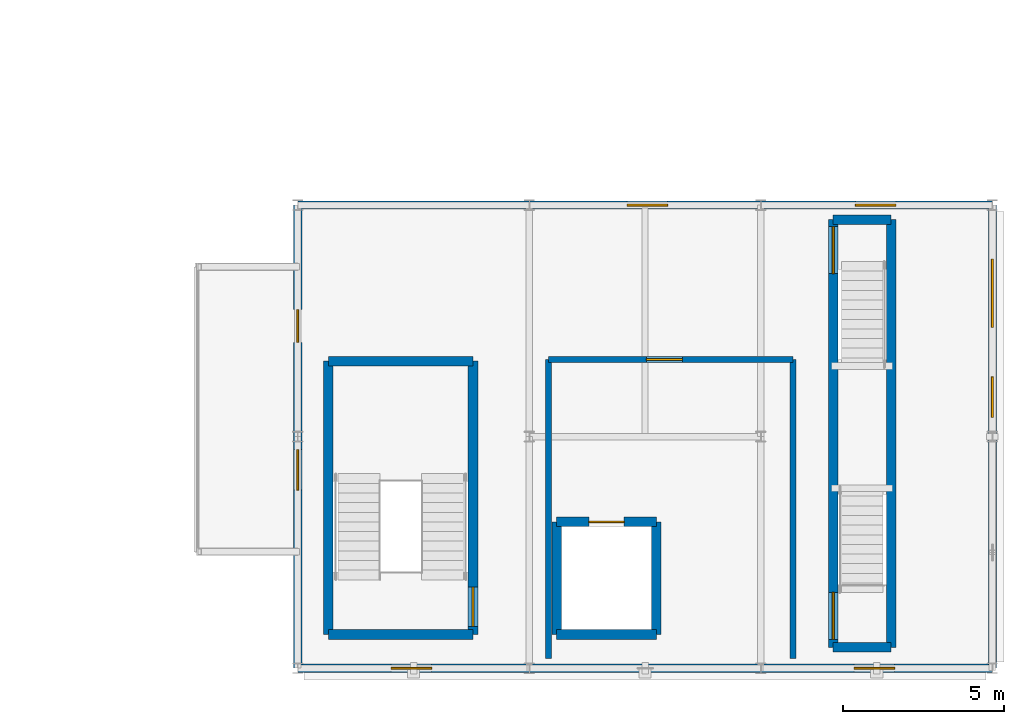
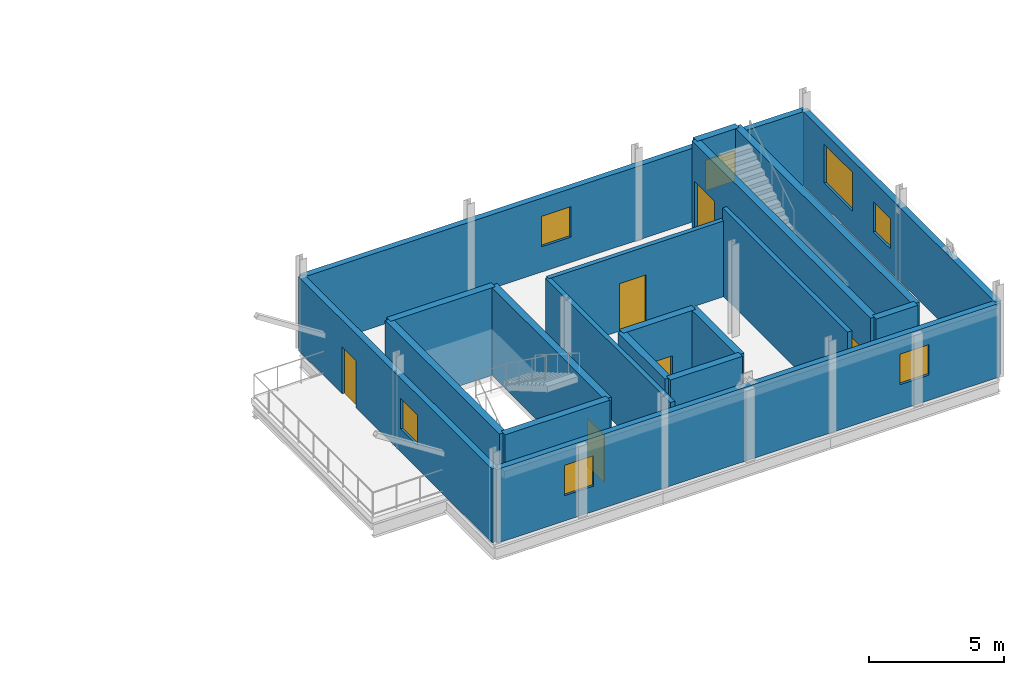
# One storey, part 40 of 47: 19 walls, 7 windows, 6 doors, 13 openings.
"""IFC4 building model written with IfcOpenShell, lengths in metres."""

from ifc_helpers import new_model, si_unit, direction, frame, frame_2d, origin, place, context, subcontext, project, spatial, rectangle, extrude, material, layer, layer_set, type_object, element, fill, save


model = new_model("IFC4")

# Units and contexts
model_context = context("Model", 3, precision=1e-05, world=origin(), true_north=direction((0.0, 1.0)))
body_context = subcontext(model_context, "Body", "Model", "MODEL_VIEW")
ifc_project = project(units=[si_unit("LENGTHUNIT", "METRE"), si_unit("AREAUNIT", "SQUARE_METRE"), si_unit("VOLUMEUNIT", "CUBIC_METRE"), si_unit("PLANEANGLEUNIT", "RADIAN"), si_unit("MASSUNIT", "GRAM", prefix="KILO")], contexts=[model_context])

# Site, building, storey
site_placement = place(None, origin())
site = spatial("IfcSite", under=ifc_project, at=site_placement, CompositionType="ELEMENT")
building_placement = place(site_placement, origin())
building = spatial("IfcBuilding", under=site, at=building_placement, Name="Yarey Park Central Fire Station", CompositionType="ELEMENT")
storey_placement = place(building_placement, frame((0.0, 0.0, 18.0)))
storey = spatial("IfcBuildingStorey", under=building, at=storey_placement, Name="L05", CompositionType="ELEMENT", Elevation=18.0)

# Wall, openings, windows
ifc_material_1 = material(Name="Concrete C40/50", Category="concrete")
ifc_layer_1 = layer(ifc_material_1, 0.2548828125)
ifc_layer_set_1 = layer_set([ifc_layer_1], Name="Concrete C40/50")
wall_type_1 = type_object("IfcWallType", Name="ENV_WALL_RC255", PredefinedType="STANDARD", material=ifc_layer_set_1)
wall_1_placement = place(storey_placement, frame((165.60009765625, 0.0, 0.0), z_axis=(0.0, 0.0, 1.0), x_axis=(-1.0, 0.0, 0.0)))
wall_1 = element("IfcWall", 1, at=wall_1_placement, inside=storey, type_object=wall_type_1, Name="EW_L05_DT_S", PredefinedType="STANDARD", context=body_context, shape_type="SweptSolid", body=[
    extrude(rectangle(XDim=21.60009765625, YDim=0.2548828125, at=frame_2d((10.800048828125, 0.0))), origin(), (0.0, 0.0, 1.0), 3.35009765625),
])
opening_1_placement = place(wall_1_placement, frame((17.43994140625, 0.0, 1.14990234375)))
opening_1 = element("IfcOpeningElement", 2, at=opening_1_placement, cuts=wall_1, Name="Opening WN-DT126", PredefinedType="OPENING", context=body_context, shape_type="SweptSolid", body=[
    extrude(rectangle(XDim=1.260009765625, YDim=1.3798828125, at=frame_2d((0.6298828125, 0.68994140625))), frame((0.0, 0.137451171875, 0.0), z_axis=(0.0, -1.0, 0.0), x_axis=(1.0, 0.0, 0.0)), (0.0, 0.0, 1.0), 0.27490234375),
])
opening_2_placement = place(wall_1_placement, frame((3.0400390625, 0.0, 1.14990234375)))
opening_2 = element("IfcOpeningElement", 3, at=opening_2_placement, cuts=wall_1, Name="Opening WN-DT126", PredefinedType="OPENING", context=body_context, shape_type="SweptSolid", body=[
    extrude(rectangle(XDim=1.260009765625, YDim=1.3798828125, at=frame_2d((0.6298828125, 0.68994140625))), frame((0.0, 0.137451171875, 0.0), z_axis=(0.0, -1.0, 0.0), x_axis=(1.0, 0.0, 0.0)), (0.0, 0.0, 1.0), 0.27490234375),
])
ifc_material_2 = material(Name="Laminated Hurricane Low-E Glass", Category="glass")
window_type_1 = type_object("IfcWindowType", Name="ENV_WIN_DT_126", PartitioningType="SINGLE_PANEL", PredefinedType="WINDOW", material=ifc_material_2)
window_1_placement = place(opening_1_placement, origin())
window_1 = element("IfcWindow", 4, at=window_1_placement, inside=storey, type_object=window_type_1, Name="WIN_L05_DTS_1", OverallHeight=1.3798828125, OverallWidth=1.260009765625, PartitioningType="SINGLE_PANEL", PredefinedType="WINDOW", context=body_context, shape_type="SweptSolid", body=[
    extrude(rectangle(XDim=1.260009765625, YDim=1.3798828125, at=frame_2d((0.6298828125, 0.68994140625))), frame((0.0, 0.030029296875, 0.0), z_axis=(0.0, -1.0, 0.0), x_axis=(1.0, 0.0, 0.0)), (0.0, 0.0, 1.0), 0.06005859375),
])
fill(opening_1, window_1)
window_2_placement = place(opening_2_placement, origin())
window_2 = element("IfcWindow", 5, at=window_2_placement, inside=storey, type_object=window_type_1, Name="WIN_L05_DTS_2", OverallHeight=1.3798828125, OverallWidth=1.260009765625, PartitioningType="SINGLE_PANEL", PredefinedType="WINDOW", context=body_context, shape_type="SweptSolid", body=[
    extrude(rectangle(XDim=1.260009765625, YDim=1.3798828125, at=frame_2d((0.6298828125, 0.68994140625))), frame((0.0, 0.030029296875, 0.0), z_axis=(0.0, -1.0, 0.0), x_axis=(1.0, 0.0, 0.0)), (0.0, 0.0, 1.0), 0.06005859375),
])
fill(opening_2, window_2)

wall_2_placement = place(storey_placement, frame((165.60009765625, 0.0, 0.0), z_axis=(0.0, 0.0, 1.0), x_axis=(0.0, 1.0, 0.0)))
wall_2 = element("IfcWall", 6, at=wall_2_placement, inside=storey, type_object=wall_type_1, Name="EW_L05_DT_E", PredefinedType="STANDARD", context=body_context, shape_type="SweptSolid", body=[
    extrude(rectangle(XDim=14.39990234375, YDim=0.2548828125, at=frame_2d((7.199951171875, 0.0))), origin(), (0.0, 0.0, 1.0), 3.35009765625),
])
opening_3_placement = place(wall_2_placement, frame((7.800048828125, 0.0, 1.050048828125)))
opening_3 = element("IfcOpeningElement", 7, at=opening_3_placement, cuts=wall_2, Name="Opening WN-DT126", PredefinedType="OPENING", context=body_context, shape_type="SweptSolid", body=[
    extrude(rectangle(XDim=1.260009765625, YDim=1.3798828125, at=frame_2d((0.6298828125, 0.68994140625))), frame((0.0, 0.137451171875, 0.0), z_axis=(0.0, -1.0, 0.0), x_axis=(1.0, 0.0, 0.0)), (0.0, 0.0, 1.0), 0.27490234375),
])
opening_4_placement = place(wall_2_placement, frame((10.60009765625, 0.0, 1.050048828125)))
opening_4 = element("IfcOpeningElement", 8, at=opening_4_placement, cuts=wall_2, Name="Opening WN-P212", PredefinedType="OPENING", context=body_context, shape_type="SweptSolid", body=[
    extrude(rectangle(XDim=2.1201171875, YDim=1.760009765625, at=frame_2d((1.06005859375, 0.8798828125))), frame((0.0, 0.137451171875, 0.0), z_axis=(0.0, -1.0, 0.0), x_axis=(1.0, 0.0, 0.0)), (0.0, 0.0, 1.0), 0.27490234375),
])
window_3_placement = place(opening_3_placement, origin())
window_3 = element("IfcWindow", 9, at=window_3_placement, inside=storey, type_object=window_type_1, Name="WIN_L05_DTE_1", OverallHeight=1.3798828125, OverallWidth=1.260009765625, PartitioningType="SINGLE_PANEL", PredefinedType="WINDOW", context=body_context, shape_type="SweptSolid", body=[
    extrude(rectangle(XDim=1.260009765625, YDim=1.3798828125, at=frame_2d((0.6298828125, 0.68994140625))), frame((0.0, 0.030029296875, 0.0), z_axis=(0.0, -1.0, 0.0), x_axis=(1.0, 0.0, 0.0)), (0.0, 0.0, 1.0), 0.06005859375),
])
fill(opening_3, window_3)
window_type_2 = type_object("IfcWindowType", Name="ENV_WIN_PUNCH_212", PartitioningType="SINGLE_PANEL", PredefinedType="WINDOW", material=ifc_material_2)
window_4_placement = place(opening_4_placement, origin())
window_4 = element("IfcWindow", 10, at=window_4_placement, inside=storey, type_object=window_type_2, Name="WIN_L05_DTE_2", OverallHeight=1.760009765625, OverallWidth=2.1201171875, PartitioningType="SINGLE_PANEL", PredefinedType="WINDOW", context=body_context, shape_type="SweptSolid", body=[
    extrude(rectangle(XDim=2.1201171875, YDim=1.760009765625, at=frame_2d((1.06005859375, 0.8798828125))), frame((0.0, 0.030029296875, 0.0), z_axis=(0.0, -1.0, 0.0), x_axis=(1.0, 0.0, 0.0)), (0.0, 0.0, 1.0), 0.06005859375),
])
fill(opening_4, window_4)

# Wall, openings, door, window
wall_3_placement = place(storey_placement, frame((144.0, 14.39990234375, 0.0), z_axis=(0.0, 0.0, 1.0), x_axis=(0.0, -1.0, 0.0)))
wall_3 = element("IfcWall", 11, at=wall_3_placement, inside=storey, type_object=wall_type_1, Name="EW_L05_DT_W", PredefinedType="STANDARD", context=body_context, shape_type="SweptSolid", body=[
    extrude(rectangle(XDim=14.39990234375, YDim=0.2548828125, at=frame_2d((7.199951171875, 0.0))), origin(), (0.0, 0.0, 1.0), 3.35009765625),
])
opening_5_placement = place(wall_3_placement, frame((3.25, 0.0, 0.0)))
opening_5 = element("IfcOpeningElement", 12, at=opening_5_placement, cuts=wall_3, Name="Opening TD-102", PredefinedType="OPENING", context=body_context, shape_type="SweptSolid", body=[
    extrude(rectangle(XDim=1.02001953125, YDim=2.139892578125, at=frame_2d((0.510009765625, 1.06982421875))), frame((0.0, 0.137451171875, 0.0), z_axis=(0.0, -1.0, 0.0), x_axis=(1.0, 0.0, 0.0)), (0.0, 0.0, 1.0), 0.27490234375),
])
opening_6_placement = place(wall_3_placement, frame((7.60009765625, 0.0, 1.050048828125)))
opening_6 = element("IfcOpeningElement", 13, at=opening_6_placement, cuts=wall_3, Name="Opening WN-DT126", PredefinedType="OPENING", context=body_context, shape_type="SweptSolid", body=[
    extrude(rectangle(XDim=1.260009765625, YDim=1.3798828125, at=frame_2d((0.6298828125, 0.68994140625))), frame((0.0, 0.137451171875, 0.0), z_axis=(0.0, -1.0, 0.0), x_axis=(1.0, 0.0, 0.0)), (0.0, 0.0, 1.0), 0.27490234375),
])
ifc_material_3 = material(Name="Galvanized Hollow Metal Door", Category="metal")
door_type_1 = type_object("IfcDoorType", Name="ENV_DOOR_BAL1020", OperationType="NOTDEFINED", PredefinedType="DOOR", material=ifc_material_3)
door_1_placement = place(opening_5_placement, origin())
door_1 = element("IfcDoor", 14, at=door_1_placement, inside=storey, type_object=door_type_1, Name="DOOR_L05_DT_BALC", OperationType="SINGLE_SWING_RIGHT", OverallHeight=2.139892578125, OverallWidth=1.02001953125, PredefinedType="DOOR", context=body_context, shape_type="SweptSolid", body=[
    extrude(rectangle(XDim=1.02001953125, YDim=2.139892578125, at=frame_2d((0.510009765625, 1.06982421875))), frame((0.0, 0.02490234375, 0.0), z_axis=(0.0, -1.0, 0.0), x_axis=(1.0, 0.0, 0.0)), (0.0, 0.0, 1.0), 0.050048828125),
])
fill(opening_5, door_1)
window_5_placement = place(opening_6_placement, origin())
window_5 = element("IfcWindow", 15, at=window_5_placement, inside=storey, type_object=window_type_1, Name="WIN_L05_DTW_RAP", OverallHeight=1.3798828125, OverallWidth=1.260009765625, PartitioningType="SINGLE_PANEL", PredefinedType="WINDOW", context=body_context, shape_type="SweptSolid", body=[
    extrude(rectangle(XDim=1.260009765625, YDim=1.3798828125, at=frame_2d((0.6298828125, 0.68994140625))), frame((0.0, 0.030029296875, 0.0), z_axis=(0.0, -1.0, 0.0), x_axis=(1.0, 0.0, 0.0)), (0.0, 0.0, 1.0), 0.06005859375),
])
fill(opening_6, window_5)

# Wall, openings, windows
wall_4_placement = place(storey_placement, frame((165.60009765625, 14.39990234375, 0.0), z_axis=(0.0, 0.0, 1.0), x_axis=(-1.0, 0.0, 0.0)))
wall_4 = element("IfcWall", 16, at=wall_4_placement, inside=storey, type_object=wall_type_1, Name="EW_L05_DT_N", PredefinedType="STANDARD", context=body_context, shape_type="SweptSolid", body=[
    extrude(rectangle(XDim=21.60009765625, YDim=0.2548828125, at=frame_2d((10.800048828125, 0.0))), origin(), (0.0, 0.0, 1.0), 3.35009765625),
])
opening_7_placement = place(wall_4_placement, frame((3.0, 0.0, 1.14990234375)))
opening_7 = element("IfcOpeningElement", 17, at=opening_7_placement, cuts=wall_4, Name="Opening WN-DT126", PredefinedType="OPENING", context=body_context, shape_type="SweptSolid", body=[
    extrude(rectangle(XDim=1.260009765625, YDim=1.3798828125, at=frame_2d((0.6298828125, 0.68994140625))), frame((0.0, 0.137451171875, 0.0), z_axis=(0.0, -1.0, 0.0), x_axis=(1.0, 0.0, 0.0)), (0.0, 0.0, 1.0), 0.27490234375),
])
opening_8_placement = place(wall_4_placement, frame((10.10009765625, 0.0, 1.14990234375)))
opening_8 = element("IfcOpeningElement", 18, at=opening_8_placement, cuts=wall_4, Name="Opening WN-DT126", PredefinedType="OPENING", context=body_context, shape_type="SweptSolid", body=[
    extrude(rectangle(XDim=1.260009765625, YDim=1.3798828125, at=frame_2d((0.6298828125, 0.68994140625))), frame((0.0, 0.137451171875, 0.0), z_axis=(0.0, -1.0, 0.0), x_axis=(1.0, 0.0, 0.0)), (0.0, 0.0, 1.0), 0.27490234375),
])
window_6_placement = place(opening_7_placement, origin())
window_6 = element("IfcWindow", 19, at=window_6_placement, inside=storey, type_object=window_type_1, Name="WIN_L05_DTN_1", OverallHeight=1.3798828125, OverallWidth=1.260009765625, PartitioningType="SINGLE_PANEL", PredefinedType="WINDOW", context=body_context, shape_type="SweptSolid", body=[
    extrude(rectangle(XDim=1.260009765625, YDim=1.3798828125, at=frame_2d((0.6298828125, 0.68994140625))), frame((0.0, 0.030029296875, 0.0), z_axis=(0.0, -1.0, 0.0), x_axis=(1.0, 0.0, 0.0)), (0.0, 0.0, 1.0), 0.06005859375),
])
fill(opening_7, window_6)
window_7_placement = place(opening_8_placement, origin())
window_7 = element("IfcWindow", 20, at=window_7_placement, inside=storey, type_object=window_type_1, Name="WIN_L05_DTN_2", OverallHeight=1.3798828125, OverallWidth=1.260009765625, PartitioningType="SINGLE_PANEL", PredefinedType="WINDOW", context=body_context, shape_type="SweptSolid", body=[
    extrude(rectangle(XDim=1.260009765625, YDim=1.3798828125, at=frame_2d((0.6298828125, 0.68994140625))), frame((0.0, 0.030029296875, 0.0), z_axis=(0.0, -1.0, 0.0), x_axis=(1.0, 0.0, 0.0)), (0.0, 0.0, 1.0), 0.06005859375),
])
fill(opening_8, window_7)

# Walls
ifc_layer_2 = layer(ifc_material_1, 0.27001953125)
ifc_layer_set_2 = layer_set([ifc_layer_2], Name="Concrete C40/50")
wall_type_2 = type_object("IfcWallType", Name="INT_CORE_RC270", PredefinedType="SHEAR", material=ifc_layer_set_2)
for number, where, z_axis, x_axis, name in (
    (21, (144.949951171875, 1.050048828125, 0.0), (0.0, 0.0, 1.0), (1.0, 0.0, 0.0), "CWALL_C5_L05_S"),
    (22, (149.449951171875, 9.550048828125, 0.0), (0.0, 0.0, 1.0), (-1.0, 0.0, 0.0), "CWALL_C5_L05_N"),
):
    element("IfcWall", number, at=place(storey_placement, frame(where, z_axis=z_axis, x_axis=x_axis)), inside=storey, type_object=wall_type_2, Name=name, PredefinedType="SHEAR", context=body_context, shape_type="SweptSolid", body=[
        extrude(rectangle(XDim=4.5, YDim=0.300048828125, at=frame_2d((2.25, 0.0))), origin(), (0.0, 0.0, 1.0), 3.97509765625),
    ])
wall_5_placement = place(storey_placement, frame((144.949951171875, 9.550048828125, 0.0), z_axis=(0.0, 0.0, 1.0), x_axis=(0.0, -1.0, 0.0)))
element("IfcWall", 23, at=wall_5_placement, inside=storey, type_object=wall_type_2, Name="CWALL_C5_L05_W", PredefinedType="SHEAR", context=body_context, shape_type="SweptSolid", body=[
    extrude(rectangle(XDim=8.5, YDim=0.300048828125, at=frame_2d((4.25, 0.0))), origin(), (0.0, 0.0, 1.0), 3.97509765625),
])

# Wall, opening, door
wall_6_placement = place(storey_placement, frame((149.449951171875, 1.050048828125, 0.0), z_axis=(0.0, 0.0, 1.0), x_axis=(0.0, 1.0, 0.0)))
wall_6 = element("IfcWall", 24, at=wall_6_placement, inside=storey, type_object=wall_type_2, Name="CWALL_C5_L05_E", PredefinedType="SHEAR", context=body_context, shape_type="SweptSolid", body=[
    extrude(rectangle(XDim=8.5, YDim=0.300048828125, at=frame_2d((4.25, 0.0))), origin(), (0.0, 0.0, 1.0), 3.97509765625),
])
opening_9_placement = place(wall_6_placement, frame((0.25, 0.0, 0.0)))
opening_9 = element("IfcOpeningElement", 25, at=opening_9_placement, cuts=wall_6, Name="Opening SD-122", PredefinedType="OPENING", context=body_context, shape_type="SweptSolid", body=[
    extrude(rectangle(XDim=1.219970703125, YDim=2.159912109375, at=frame_2d((0.60986328125, 1.080078125))), frame((0.0, 0.159912109375, 0.0), z_axis=(0.0, -1.0, 0.0), x_axis=(1.0, 0.0, 0.0)), (0.0, 0.0, 1.0), 0.320068359375),
])
door_type_2 = type_object("IfcDoorType", Name="DR_STAIR_1220", OperationType="NOTDEFINED", PredefinedType="DOOR", material=ifc_material_3)
door_2_placement = place(opening_9_placement, origin())
door_2 = element("IfcDoor", 26, at=door_2_placement, inside=storey, type_object=door_type_2, Name="DOOR_STAIR_C5_L05", OperationType="SINGLE_SWING_LEFT", OverallHeight=2.159912109375, OverallWidth=1.219970703125, PredefinedType="DOOR", context=body_context, shape_type="SweptSolid", body=[
    extrude(rectangle(XDim=1.219970703125, YDim=2.159912109375, at=frame_2d((0.60986328125, 1.080078125))), frame((0.0, 0.02490234375, 0.0), z_axis=(0.0, -1.0, 0.0), x_axis=(1.0, 0.0, 0.0)), (0.0, 0.0, 1.0), 0.050048828125),
])
fill(opening_9, door_2)

# Wall
wall_7_placement = place(storey_placement, frame((152.050048828125, 1.050048828125, 0.0), z_axis=(0.0, 0.0, 1.0), x_axis=(1.0, 0.0, 0.0)))
element("IfcWall", 27, at=wall_7_placement, inside=storey, type_object=wall_type_2, Name="LWALL_C5_L05_S", PredefinedType="SHEAR", context=body_context, shape_type="SweptSolid", body=[
    extrude(rectangle(XDim=3.099853515625, YDim=0.300048828125, at=frame_2d((1.5498046875, 0.0))), origin(), (0.0, 0.0, 1.0), 3.97509765625),
])

# Wall, opening, door
wall_8_placement = place(storey_placement, frame((155.14990234375, 4.550048828125, 0.0), z_axis=(0.0, 0.0, 1.0), x_axis=(-1.0, 0.0, 0.0)))
wall_8 = element("IfcWall", 28, at=wall_8_placement, inside=storey, type_object=wall_type_2, Name="LWALL_C5_L05_N", PredefinedType="SHEAR", context=body_context, shape_type="SweptSolid", body=[
    extrude(rectangle(XDim=3.099853515625, YDim=0.300048828125, at=frame_2d((1.5498046875, 0.0))), origin(), (0.0, 0.0, 1.0), 3.97509765625),
])
opening_10_placement = place(wall_8_placement, frame((1.0, 0.0, 0.0)))
opening_10 = element("IfcOpeningElement", 29, at=opening_10_placement, cuts=wall_8, Name="Opening LD-11", PredefinedType="OPENING", context=body_context, shape_type="SweptSolid", body=[
    extrude(rectangle(XDim=1.10009765625, YDim=2.219970703125, at=frame_2d((0.550048828125, 1.10986328125))), frame((0.0, 0.159912109375, 0.0), z_axis=(0.0, -1.0, 0.0), x_axis=(1.0, 0.0, 0.0)), (0.0, 0.0, 1.0), 0.320068359375),
])
ifc_material_4 = material(Name="Stainless Steel AISI 316L", Category="steel")
door_type_3 = type_object("IfcDoorType", Name="DR_LD_1100", OperationType="NOTDEFINED", PredefinedType="DOOR", material=ifc_material_4)
door_3_placement = place(opening_10_placement, origin())
door_3 = element("IfcDoor", 30, at=door_3_placement, inside=storey, type_object=door_type_3, Name="Lift Landing Door LF-5-L05", OperationType="SLIDING_TO_LEFT", OverallHeight=2.219970703125, OverallWidth=1.10009765625, PredefinedType="DOOR", context=body_context, shape_type="SweptSolid", body=[
    extrude(rectangle(XDim=1.10009765625, YDim=2.219970703125, at=frame_2d((0.550048828125, 1.10986328125))), frame((0.0, 0.02490234375, 0.0), z_axis=(0.0, -1.0, 0.0), x_axis=(1.0, 0.0, 0.0)), (0.0, 0.0, 1.0), 0.050048828125),
])
fill(opening_10, door_3)

# Walls
for number, where, z_axis, x_axis, name in (
    (31, (152.050048828125, 4.550048828125, 0.0), (0.0, 0.0, 1.0), (0.0, -1.0, 0.0), "LWALL_C5_L05_W"),
    (32, (155.14990234375, 1.050048828125, 0.0), (0.0, 0.0, 1.0), (0.0, 1.0, 0.0), "LWALL_C5_L05_E"),
):
    element("IfcWall", number, at=place(storey_placement, frame(where, z_axis=z_axis, x_axis=x_axis)), inside=storey, type_object=wall_type_2, Name=name, PredefinedType="SHEAR", context=body_context, shape_type="SweptSolid", body=[
        extrude(rectangle(XDim=3.5, YDim=0.300048828125, at=frame_2d((1.75, 0.0))), origin(), (0.0, 0.0, 1.0), 3.97509765625),
    ])
for number, where, z_axis, x_axis, name in (
    (33, (160.64990234375, 0.64990234375, 0.0), (0.0, 0.0, 1.0), (1.0, 0.0, 0.0), "CWALL_C6_L05_S"),
    (34, (162.449951171875, 13.949951171875, 0.0), (0.0, 0.0, 1.0), (-1.0, 0.0, 0.0), "CWALL_C6_L05_N"),
):
    element("IfcWall", number, at=place(storey_placement, frame(where, z_axis=z_axis, x_axis=x_axis)), inside=storey, type_object=wall_type_2, Name=name, PredefinedType="SHEAR", context=body_context, shape_type="SweptSolid", body=[
        extrude(rectangle(XDim=1.800048828125, YDim=0.300048828125, at=frame_2d((0.89990234375, 0.0))), origin(), (0.0, 0.0, 1.0), 3.97509765625),
    ])

# Wall, openings, doors
wall_9_placement = place(storey_placement, frame((160.64990234375, 13.949951171875, 0.0), z_axis=(0.0, 0.0, 1.0), x_axis=(0.0, -1.0, 0.0)))
wall_9 = element("IfcWall", 35, at=wall_9_placement, inside=storey, type_object=wall_type_2, Name="CWALL_C6_L05_W", PredefinedType="SHEAR", context=body_context, shape_type="SweptSolid", body=[
    extrude(rectangle(XDim=13.300048828125, YDim=0.300048828125, at=frame_2d((6.64990234375, 0.0))), origin(), (0.0, 0.0, 1.0), 3.97509765625),
])
opening_11_placement = place(wall_9_placement, frame((11.590087890625, 0.0, 0.0)))
opening_11 = element("IfcOpeningElement", 36, at=opening_11_placement, cuts=wall_9, Name="Opening SD-146", PredefinedType="OPENING", context=body_context, shape_type="SweptSolid", body=[
    extrude(rectangle(XDim=1.4599609375, YDim=2.239990234375, at=frame_2d((0.72998046875, 1.1201171875))), frame((0.0, 0.159912109375, 0.0), z_axis=(0.0, -1.0, 0.0), x_axis=(1.0, 0.0, 0.0)), (0.0, 0.0, 1.0), 0.320068359375),
])
opening_12_placement = place(wall_9_placement, frame((0.219970703125, 0.0, 0.0)))
opening_12 = element("IfcOpeningElement", 37, at=opening_12_placement, cuts=wall_9, Name="Opening SD-146", PredefinedType="OPENING", context=body_context, shape_type="SweptSolid", body=[
    extrude(rectangle(XDim=1.4599609375, YDim=2.239990234375, at=frame_2d((0.72998046875, 1.1201171875))), frame((0.0, 0.159912109375, 0.0), z_axis=(0.0, -1.0, 0.0), x_axis=(1.0, 0.0, 0.0)), (0.0, 0.0, 1.0), 0.320068359375),
])
door_type_4 = type_object("IfcDoorType", Name="DR_STAIR_1460", OperationType="NOTDEFINED", PredefinedType="DOOR", material=ifc_material_3)
door_4_placement = place(opening_11_placement, origin())
door_4 = element("IfcDoor", 38, at=door_4_placement, inside=storey, type_object=door_type_4, Name="DOOR_STAIR_C6_L05", OperationType="SINGLE_SWING_RIGHT", OverallHeight=2.239990234375, OverallWidth=1.4599609375, PredefinedType="DOOR", context=body_context, shape_type="SweptSolid", body=[
    extrude(rectangle(XDim=1.4599609375, YDim=2.239990234375, at=frame_2d((0.72998046875, 1.1201171875))), frame((0.0, 0.02490234375, 0.0), z_axis=(0.0, -1.0, 0.0), x_axis=(1.0, 0.0, 0.0)), (0.0, 0.0, 1.0), 0.050048828125),
])
fill(opening_11, door_4)
door_5_placement = place(opening_12_placement, origin())
door_5 = element("IfcDoor", 39, at=door_5_placement, inside=storey, type_object=door_type_4, Name="DOOR_STAIR_C6_L05_ARR", OperationType="SINGLE_SWING_LEFT", OverallHeight=2.239990234375, OverallWidth=1.4599609375, PredefinedType="DOOR", context=body_context, shape_type="SweptSolid", body=[
    extrude(rectangle(XDim=1.4599609375, YDim=2.239990234375, at=frame_2d((0.72998046875, 1.1201171875))), frame((0.0, 0.02490234375, 0.0), z_axis=(0.0, -1.0, 0.0), x_axis=(1.0, 0.0, 0.0)), (0.0, 0.0, 1.0), 0.050048828125),
])
fill(opening_12, door_5)

# Wall
wall_10_placement = place(storey_placement, frame((162.449951171875, 0.64990234375, 0.0), z_axis=(0.0, 0.0, 1.0), x_axis=(0.0, 1.0, 0.0)))
element("IfcWall", 40, at=wall_10_placement, inside=storey, type_object=wall_type_2, Name="CWALL_C6_L05_E", PredefinedType="SHEAR", context=body_context, shape_type="SweptSolid", body=[
    extrude(rectangle(XDim=13.300048828125, YDim=0.300048828125, at=frame_2d((6.64990234375, 0.0))), origin(), (0.0, 0.0, 1.0), 3.97509765625),
])

# Wall, opening, door
ifc_material_5 = material(Name="Concrete C35/45", Category="concrete")
ifc_layer_3 = layer(ifc_material_5, 0.18994140625)
ifc_layer_set_3 = layer_set([ifc_layer_3], Name="Concrete C35/45")
wall_type_3 = type_object("IfcWallType", Name="INT_WALL_CMU190", PredefinedType="STANDARD", material=ifc_layer_set_3)
wall_11_placement = place(storey_placement, frame((159.39990234375, 9.60009765625, 0.0), z_axis=(0.0, 0.0, 1.0), x_axis=(-1.0, 0.0, 0.0)))
wall_11 = element("IfcWall", 41, at=wall_11_placement, inside=storey, type_object=wall_type_3, Name="PART_SPC_L05_DT_ROPE_NORTH", PredefinedType="STANDARD", context=body_context, shape_type="SweptSolid", body=[
    extrude(rectangle(XDim=7.599853515625, YDim=0.18994140625, at=frame_2d((3.7998046875, 0.0))), origin(), (0.0, 0.0, 1.0), 3.44189453125),
])
opening_13_placement = place(wall_11_placement, frame((3.43994140625, 0.0, 0.0)))
opening_13 = element("IfcOpeningElement", 42, at=opening_13_placement, cuts=wall_11, Name="Opening FD-112", PredefinedType="OPENING", context=body_context, shape_type="SweptSolid", body=[
    extrude(rectangle(XDim=1.1201171875, YDim=2.159912109375, at=frame_2d((0.56005859375, 1.080078125))), frame((0.0, 0.10498046875, 0.0), z_axis=(0.0, -1.0, 0.0), x_axis=(1.0, 0.0, 0.0)), (0.0, 0.0, 1.0), 0.2099609375),
])
door_type_5 = type_object("IfcDoorType", Name="DR_FD_1120", OperationType="NOTDEFINED", PredefinedType="DOOR", material=ifc_material_3)
door_6_placement = place(opening_13_placement, origin())
door_6 = element("IfcDoor", 43, at=door_6_placement, inside=storey, type_object=door_type_5, Name="DOOR_SPC_L05_DT_ROPE", OperationType="SINGLE_SWING_RIGHT", OverallHeight=2.159912109375, OverallWidth=1.1201171875, PredefinedType="DOOR", context=body_context, shape_type="SweptSolid", body=[
    extrude(rectangle(XDim=1.1201171875, YDim=2.159912109375, at=frame_2d((0.56005859375, 1.080078125))), frame((0.0, 0.02490234375, 0.0), z_axis=(0.0, -1.0, 0.0), x_axis=(1.0, 0.0, 0.0)), (0.0, 0.0, 1.0), 0.050048828125),
])
fill(opening_13, door_6)

# Walls
wall_12_placement = place(storey_placement, frame((151.800048828125, 9.60009765625, 0.0), z_axis=(0.0, 0.0, 1.0), x_axis=(0.0, -1.0, 0.0)))
element("IfcWall", 44, at=wall_12_placement, inside=storey, type_object=wall_type_3, Name="PART_SPC_L05_DT_ROPE_WEST", PredefinedType="STANDARD", context=body_context, shape_type="SweptSolid", body=[
    extrude(rectangle(XDim=9.300048828125, YDim=0.18994140625, at=frame_2d((4.64990234375, 0.0))), origin(), (0.0, 0.0, 1.0), 3.44189453125),
])
wall_13_placement = place(storey_placement, frame((159.39990234375, 0.300048828125, 0.0), z_axis=(0.0, 0.0, 1.0), x_axis=(0.0, 1.0, 0.0)))
element("IfcWall", 45, at=wall_13_placement, inside=storey, type_object=wall_type_3, Name="PART_SPC_L05_DT_ROPE_EAST", PredefinedType="STANDARD", context=body_context, shape_type="SweptSolid", body=[
    extrude(rectangle(XDim=9.300048828125, YDim=0.18994140625, at=frame_2d((4.64990234375, 0.0))), origin(), (0.0, 0.0, 1.0), 3.97509765625),
])

save(model, "model.ifc")
